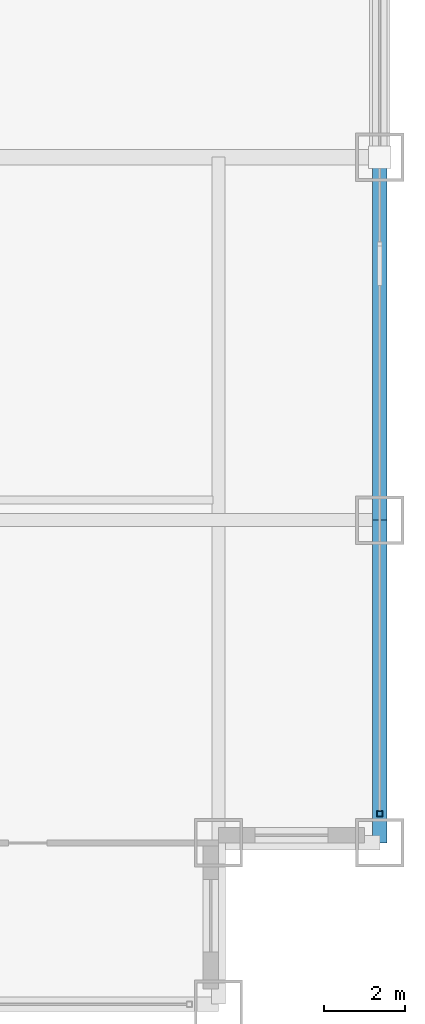
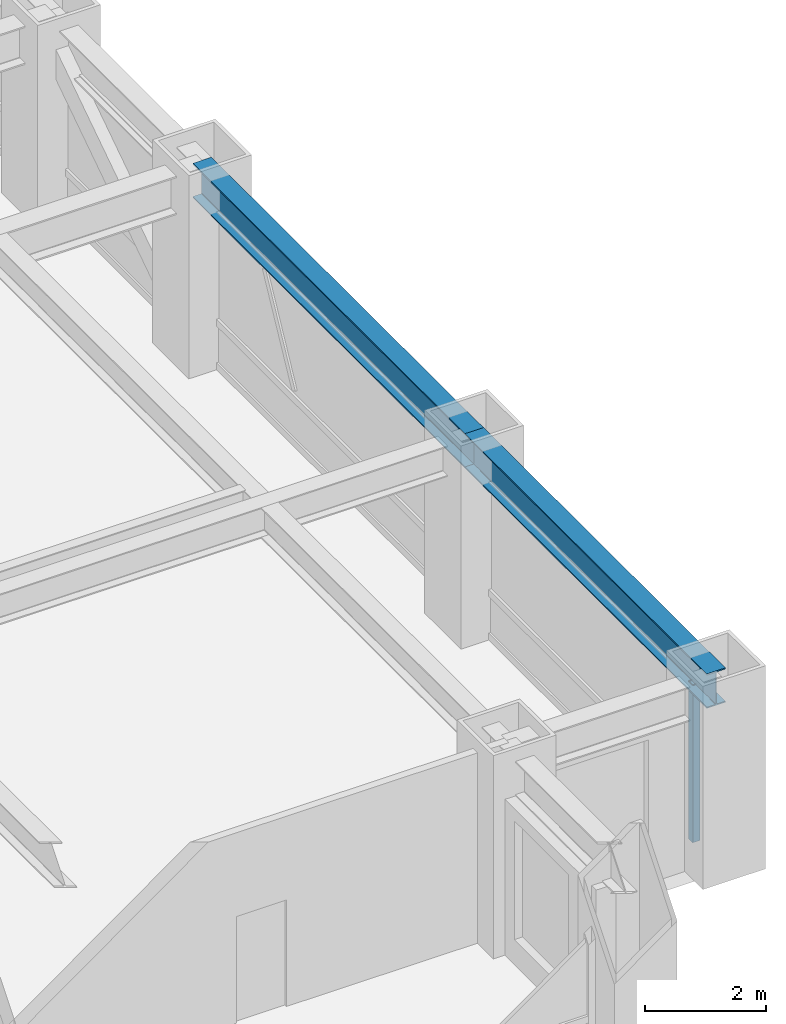
# One storey, part 12 of 27: 2 beams, 1 member, 1 element without a shape of its own.
"""IFC4 building model written with IfcOpenShell, lengths in metres."""

from ifc_helpers import new_model, si_unit, direction, frame, origin, origin_2d, place, context, subcontext, project, spatial, hollow_rectangle, i_section, extrude, source, transform, mapped, material, material_profile, profile_set, type_object, element, aggregate, save


model = new_model("IFC4")

# Units and contexts
model_context = context("Model", 3, precision=1e-05, world=origin(), true_north=direction((0.0, 1.0)))
body_context = subcontext(model_context, "Body", "Model", "MODEL_VIEW")
ifc_project = project(units=[si_unit("LENGTHUNIT", "METRE"), si_unit("AREAUNIT", "SQUARE_METRE"), si_unit("VOLUMEUNIT", "CUBIC_METRE"), si_unit("PLANEANGLEUNIT", "RADIAN"), si_unit("MASSUNIT", "GRAM", prefix="KILO")], contexts=[model_context])

# Site, building, storey
site_placement = place(None, origin())
site = spatial("IfcSite", under=ifc_project, at=site_placement, CompositionType="ELEMENT")
building_placement = place(site_placement, origin())
building = spatial("IfcBuilding", under=site, at=building_placement, Name="Khorayat Bourse Tower", CompositionType="ELEMENT")
storey_placement = place(building_placement, frame((0.0, 0.0, 103.699951171875)))
storey = spatial("IfcBuildingStorey", under=building, at=storey_placement, Name="L23", CompositionType="ELEMENT", Elevation=103.699951171875)

# Beams
ifc_material_1 = material(Name="Steel ASTM A992 Grade 50", Category="steel")
ifc_material_profile_1 = material_profile(ifc_material_1, i_section(OverallWidth=0.35498046875, OverallDepth=0.695068359375, WebThickness=0.015380859375, FlangeThickness=0.02490234375, FilletRadius=0.01806640625, at=origin_2d()), Name="W690X217")
ifc_profile_set_1 = profile_set([ifc_material_profile_1], Name="Steel ASTM A992 Grade 50")
beam_type = type_object("IfcBeamType", Name="BM-SPAN-690", PredefinedType="SPANDREL", material=ifc_profile_set_1)
shared_shape_1 = source(origin(), body_context, "Body", "SweptSolid", [
    extrude(i_section(OverallWidth=0.35498046875, OverallDepth=0.695068359375, WebThickness=0.015380859375, FlangeThickness=0.02490234375, FilletRadius=0.01806640625, at=origin_2d()), origin(), (0.0, 0.0, 1.0), 9.0),
])
beam_1_placement = place(storey_placement, frame((32.0, -20.0, 3.492431640625), z_axis=(0.0, 1.0, 0.0), x_axis=(-1.0, 0.0, 0.0)))
element("IfcBeam", 1, at=beam_1_placement, inside=storey, type_object=beam_type, Name="L23 BM-SPAN-690 BM-L23-SPN-035", PredefinedType="SPANDREL", context=body_context, shape_type="MappedRepresentation", body=[
    mapped(shared_shape_1, transform((0.0, 0.0, 0.0), scale=1.0)),
])
shared_shape_2 = source(origin(), body_context, "Body", "SweptSolid", [
    extrude(i_section(OverallWidth=0.35498046875, OverallDepth=0.695068359375, WebThickness=0.015380859375, FlangeThickness=0.02490234375, FilletRadius=0.01806640625, at=origin_2d()), origin(), (0.0, 0.0, 1.0), 8.0),
])
beam_2_placement = place(storey_placement, frame((32.0, -28.0, 3.492431640625), z_axis=(0.0, 1.0, 0.0), x_axis=(-1.0, 0.0, 0.0)))
element("IfcBeam", 2, at=beam_2_placement, inside=storey, type_object=beam_type, Name="L23 BM-SPAN-690 BM-L23-SPN-034", PredefinedType="SPANDREL", context=body_context, shape_type="MappedRepresentation", body=[
    mapped(shared_shape_2, transform((0.0, 0.0, 0.0), scale=1.0)),
])

# Curtain wall, member
ifc_material_2 = material(Name="Aluminium EN AW-6063 T6", Category="aluminium")
curtain_wall_type = type_object("IfcCurtainWallType", Name="CW-SYS-02", PredefinedType="NOTDEFINED", material=ifc_material_2)
curtain_wall_placement = place(storey_placement, origin())
curtain_wall = element("IfcCurtainWall", 3, at=curtain_wall_placement, inside=storey, type_object=curtain_wall_type, Name="L23 Curtain Wall CW-L23-E1", PredefinedType="NOTDEFINED")
ifc_material_profile_2 = material_profile(ifc_material_2, hollow_rectangle(XDim=0.139892578125, YDim=0.139892578125, WallThickness=0.006103515625, at=origin_2d()), Name="ALU 140x140x6")
ifc_profile_set_2 = profile_set([ifc_material_profile_2], Name="Aluminium EN AW-6063 T6")
member_type = type_object("IfcMemberType", Name="CWM-VERT-140", PredefinedType="MULLION", material=ifc_profile_set_2)
shared_shape_3 = source(origin(), body_context, "Body", "SweptSolid", [
    extrude(hollow_rectangle(XDim=0.139892578125, YDim=0.139892578125, WallThickness=0.006103515625, at=origin_2d()), origin(), (0.0, 0.0, 1.0), 3.18994140625),
])
member_placement = place(storey_placement, frame((32.0, -27.280029296875, 0.0), z_axis=(0.0, 0.0, 1.0), x_axis=(-1.0, 0.0, 0.0)))
member = element("IfcMember", 4, at=member_placement, type_object=member_type, Name="CW-L23-E1 Vertical Mullion 1", PredefinedType="MULLION", context=body_context, shape_type="MappedRepresentation", body=[
    mapped(shared_shape_3, transform((0.0, 0.0, 0.0), scale=1.0)),
])
aggregate(curtain_wall, [member])

save(model, "model.ifc")
